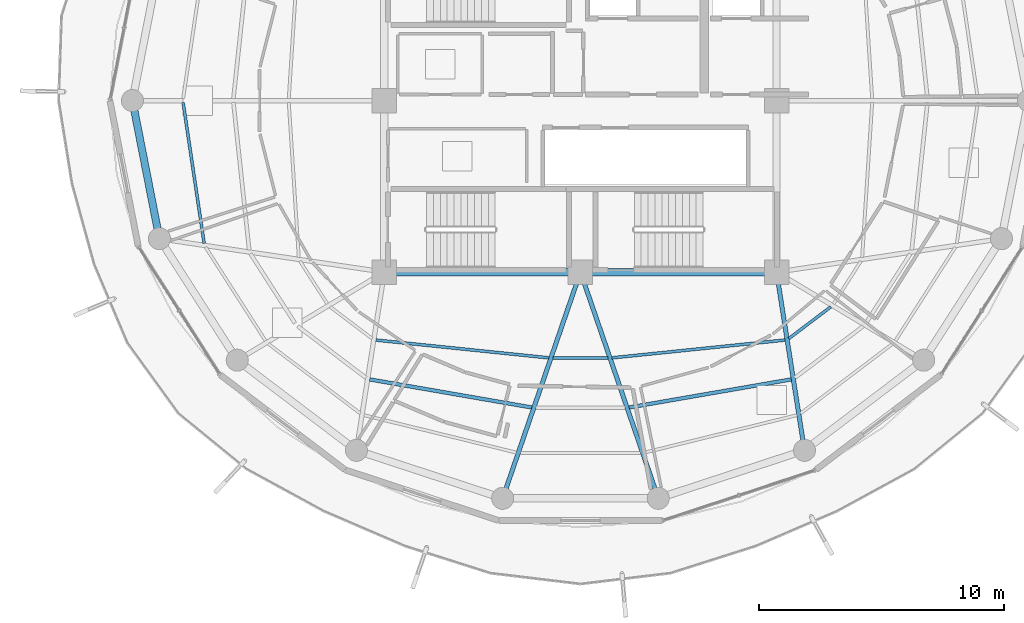
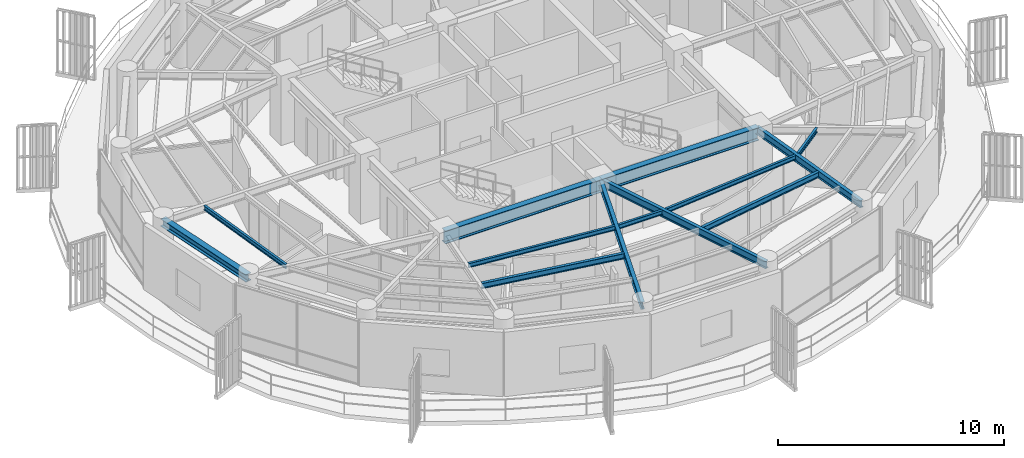
# One storey, part 5 of 24: 13 beams.
"""IFC4 building model written with IfcOpenShell, lengths in metres."""

from ifc_helpers import new_model, si_unit, direction, frame, origin, origin_2d, place, context, subcontext, project, spatial, i_section, extrude, material, material_profile, profile_set, type_object, element, save


model = new_model("IFC4")

# Units and contexts
model_context = context("Model", 3, precision=1e-05, world=origin(), true_north=direction((0.0, 1.0)))
body_context = subcontext(model_context, "Body", "Model", "MODEL_VIEW")
ifc_project = project(units=[si_unit("LENGTHUNIT", "METRE"), si_unit("AREAUNIT", "SQUARE_METRE"), si_unit("VOLUMEUNIT", "CUBIC_METRE"), si_unit("PLANEANGLEUNIT", "RADIAN"), si_unit("MASSUNIT", "GRAM", prefix="KILO")], contexts=[model_context])

# Site, building, storey
site_placement = place(None, origin())
site = spatial("IfcSite", under=ifc_project, at=site_placement, CompositionType="ELEMENT")
building_placement = place(site_placement, origin())
building = spatial("IfcBuilding", under=site, at=building_placement, Name="Kelanora Arch Commons", CompositionType="ELEMENT")
storey_placement = place(building_placement, frame((0.0, 0.0, 248.699951171875)))
storey = spatial("IfcBuildingStorey", under=building, at=storey_placement, Name="L63", CompositionType="ELEMENT", Elevation=248.699951171875)

# Beams
ifc_material = material(Name="Steel S355", Category="steel")
ifc_material_profile_1 = material_profile(ifc_material, i_section(OverallWidth=0.300048828125, OverallDepth=0.699951171875, WebThickness=0.01708984375, FlangeThickness=0.031982421875, FilletRadius=0.027099609375, at=origin_2d()), Name="HEB700")
ifc_profile_set_1 = profile_set([ifc_material_profile_1], Name="Steel S355")
beam_type_1 = type_object("IfcBeamType", Name="BM-CORE-HDR", PredefinedType="BEAM", material=ifc_profile_set_1)
for number, where, z_axis, x_axis, name in (
    (1, (66.0, 51.0, 3.14013671875), (1.0, 0.0, 0.0), (0.0, 1.0, 0.0), "Core Header Beam 01 L63"),
    (2, (74.0, 51.0, 3.14013671875), (1.0, 0.0, 0.0), (0.0, 1.0, 0.0), "Core Header Beam 02 L63"),
):
    element("IfcBeam", number, at=place(storey_placement, frame(where, z_axis=z_axis, x_axis=x_axis)), inside=storey, type_object=beam_type_1, Name=name, PredefinedType="BEAM", context=body_context, shape_type="SweptSolid", body=[
        extrude(i_section(OverallWidth=0.300048828125, OverallDepth=0.699951171875, WebThickness=0.01708984375, FlangeThickness=0.031982421875, FilletRadius=0.027099609375, at=origin_2d()), origin(), (0.0, 0.0, 1.0), 8.0),
    ])
ifc_material_profile_2 = material_profile(ifc_material, i_section(OverallWidth=0.14990234375, OverallDepth=0.300048828125, WebThickness=0.007080078125, FlangeThickness=0.0107421875, FilletRadius=0.014892578125, at=origin_2d()), Name="IPE300")
ifc_profile_set_2 = profile_set([ifc_material_profile_2], Name="Steel S355")
beam_type_2 = type_object("IfcBeamType", Name="BM-JST-01", PredefinedType="JOIST", material=ifc_profile_set_2)
for number, where, z_axis, x_axis, name in (
    (3, (65.39990234375, 46.622314453125, 3.340087890625), (0.985321568263, -0.170708544357, 0.0), (0.170708544357, 0.985321568263, 0.0), "Secondary Chord Joist BJB-24 L63"),
    (4, (75.98828125, 45.476806640625, 3.340087890625), (0.985321568263, 0.170708544357, 0.0), (-0.170708544357, 0.985321568263, 0.0), "Secondary Chord Joist BJB-28 L63"),
):
    element("IfcBeam", number, at=place(storey_placement, frame(where, z_axis=z_axis, x_axis=x_axis)), inside=storey, type_object=beam_type_2, Name=name, PredefinedType="JOIST", context=body_context, shape_type="SweptSolid", body=[
        extrude(i_section(OverallWidth=0.14990234375, OverallDepth=0.300048828125, WebThickness=0.007080078125, FlangeThickness=0.0107421875, FilletRadius=0.014892578125, at=origin_2d()), origin(), (0.0, 0.0, 1.0), 6.710205078125),
    ])
ifc_material_profile_3 = material_profile(ifc_material, i_section(OverallWidth=0.1201171875, OverallDepth=0.239990234375, WebThickness=0.006103515625, FlangeThickness=0.009765625, FilletRadius=0.014892578125, at=origin_2d()), Name="IPE240")
ifc_profile_set_3 = profile_set([ifc_material_profile_3], Name="Steel S355")
beam_type_3 = type_object("IfcBeamType", Name="BM-JST-02", PredefinedType="JOIST", material=ifc_profile_set_3)
beam_1_placement = place(storey_placement, frame((57.78857421875, 57.916015625, 3.3701171875), z_axis=(0.14762470282, -0.989043450571, 0.0), x_axis=(0.989043450571, 0.14762470282, 0.0)))
element("IfcBeam", 5, at=beam_1_placement, inside=storey, type_object=beam_type_3, Name="Secondary Chord Joist BJC-18 L63", PredefinedType="JOIST", context=body_context, shape_type="SweptSolid", body=[
    extrude(i_section(OverallWidth=0.1201171875, OverallDepth=0.239990234375, WebThickness=0.006103515625, FlangeThickness=0.009765625, FilletRadius=0.014892578125, at=origin_2d()), origin(), (0.0, 0.0, 1.0), 5.804931640625),
])
beam_2_placement = place(storey_placement, frame((65.6513671875, 48.227783203125, 3.3701171875), z_axis=(0.994746545688, -0.102368500239, 0.0), x_axis=(0.102368500239, 0.994746545688, 0.0)))
element("IfcBeam", 6, at=beam_2_placement, inside=storey, type_object=beam_type_3, Name="Secondary Chord Joist BJA-24 L63", PredefinedType="JOIST", context=body_context, shape_type="SweptSolid", body=[
    extrude(i_section(OverallWidth=0.1201171875, OverallDepth=0.239990234375, WebThickness=0.006103515625, FlangeThickness=0.009765625, FilletRadius=0.014892578125, at=origin_2d()), origin(), (0.0, 0.0, 1.0), 7.09521484375),
])
beam_3_placement = place(storey_placement, frame((72.87890625, 47.492919921875, 3.3701171875), z_axis=(1.0, 0.0, 0.0), x_axis=(0.0, 1.0, 0.0)))
element("IfcBeam", 7, at=beam_3_placement, inside=storey, type_object=beam_type_3, Name="Secondary Chord Joist BJA-26 L63", PredefinedType="JOIST", context=body_context, shape_type="SweptSolid", body=[
    extrude(i_section(OverallWidth=0.1201171875, OverallDepth=0.239990234375, WebThickness=0.006103515625, FlangeThickness=0.009765625, FilletRadius=0.014892578125, at=origin_2d()), origin(), (0.0, 0.0, 1.0), 2.2421875),
])
beam_4_placement = place(storey_placement, frame((75.290771484375, 47.50146484375, 3.3701171875), z_axis=(0.994746545688, 0.102368500239, 0.0), x_axis=(-0.102368500239, 0.994746545688, 0.0)))
element("IfcBeam", 8, at=beam_4_placement, inside=storey, type_object=beam_type_3, Name="Secondary Chord Joist BJA-28 L63", PredefinedType="JOIST", context=body_context, shape_type="SweptSolid", body=[
    extrude(i_section(OverallWidth=0.1201171875, OverallDepth=0.239990234375, WebThickness=0.006103515625, FlangeThickness=0.009765625, FilletRadius=0.014892578125, at=origin_2d()), origin(), (0.0, 0.0, 1.0), 7.09521484375),
])
beam_5_placement = place(storey_placement, frame((82.5009765625, 48.287841796875, 3.3701171875), z_axis=(0.797509883882, 0.603305880222, 0.0), x_axis=(-0.603305880222, 0.797509883882, 0.0)))
element("IfcBeam", 9, at=beam_5_placement, inside=storey, type_object=beam_type_3, Name="Secondary Chord Joist BJA-30 L63", PredefinedType="JOIST", context=body_context, shape_type="SweptSolid", body=[
    extrude(i_section(OverallWidth=0.1201171875, OverallDepth=0.239990234375, WebThickness=0.006103515625, FlangeThickness=0.009765625, FilletRadius=0.014892578125, at=origin_2d()), origin(), (0.0, 0.0, 1.0), 2.147216796875),
])
ifc_material_profile_4 = material_profile(ifc_material, i_section(OverallWidth=0.179931640625, OverallDepth=0.39990234375, WebThickness=0.008544921875, FlangeThickness=0.013427734375, FilletRadius=0.02099609375, at=origin_2d()), Name="IPE400")
ifc_profile_set_4 = profile_set([ifc_material_profile_4], Name="Steel S355")
beam_type_4 = type_object("IfcBeamType", Name="BM-RAD-Z5", PredefinedType="BEAM", material=ifc_profile_set_4)
for number, where, z_axis, x_axis, name in (
    (10, (74.0, 51.0, 3.2900390625), (-0.325233562807, -0.945633718532, 0.0), (0.945633718532, -0.325233562807, 0.0), "Radial Floor Girder BR-26 L63"),
    (11, (74.0, 51.0, 3.2900390625), (0.325233562807, -0.945633718532, 0.0), (0.945633718532, 0.325233562807, 0.0), "Radial Floor Girder BR-28 L63"),
):
    element("IfcBeam", number, at=place(storey_placement, frame(where, z_axis=z_axis, x_axis=x_axis)), inside=storey, type_object=beam_type_4, Name=name, PredefinedType="BEAM", context=body_context, shape_type="SweptSolid", body=[
        extrude(i_section(OverallWidth=0.179931640625, OverallDepth=0.39990234375, WebThickness=0.008544921875, FlangeThickness=0.013427734375, FilletRadius=0.02099609375, at=origin_2d()), origin(), (0.0, 0.0, 1.0), 9.760009765625),
    ])
beam_6_placement = place(storey_placement, frame((82.0, 51.0, 3.2900390625), z_axis=(0.154855424129, -0.987937142544, 0.0), x_axis=(0.987937142544, 0.154855424129, 0.0)))
element("IfcBeam", 12, at=beam_6_placement, inside=storey, type_object=beam_type_4, Name="Radial Floor Girder BR-30 L63", PredefinedType="BEAM", context=body_context, shape_type="SweptSolid", body=[
    extrude(i_section(OverallWidth=0.179931640625, OverallDepth=0.39990234375, WebThickness=0.008544921875, FlangeThickness=0.013427734375, FilletRadius=0.02099609375, at=origin_2d()), origin(), (0.0, 0.0, 1.0), 7.361083984375),
])
ifc_material_profile_5 = material_profile(ifc_material, i_section(OverallWidth=0.300048828125, OverallDepth=0.39990234375, WebThickness=0.013427734375, FlangeThickness=0.02392578125, FilletRadius=0.027099609375, at=origin_2d()), Name="HEB400")
ifc_profile_set_5 = profile_set([ifc_material_profile_5], Name="Steel S355")
beam_type_5 = type_object("IfcBeamType", Name="BM-SPN-Z4", PredefinedType="SPANDREL", material=ifc_profile_set_5)
beam_7_placement = place(storey_placement, frame((55.719970703125, 58.0, 3.2900390625), z_axis=(0.191969774604, -0.981400838413, 0.0), x_axis=(0.981400838413, 0.191969774604, 0.0)))
element("IfcBeam", 13, at=beam_7_placement, inside=storey, type_object=beam_type_5, Name="Perimeter Spandrel Beam BS-18 L63", PredefinedType="SPANDREL", context=body_context, shape_type="SweptSolid", body=[
    extrude(i_section(OverallWidth=0.300048828125, OverallDepth=0.39990234375, WebThickness=0.013427734375, FlangeThickness=0.02392578125, FilletRadius=0.027099609375, at=origin_2d()), origin(), (0.0, 0.0, 1.0), 5.743408203125),
])

save(model, "model.ifc")
